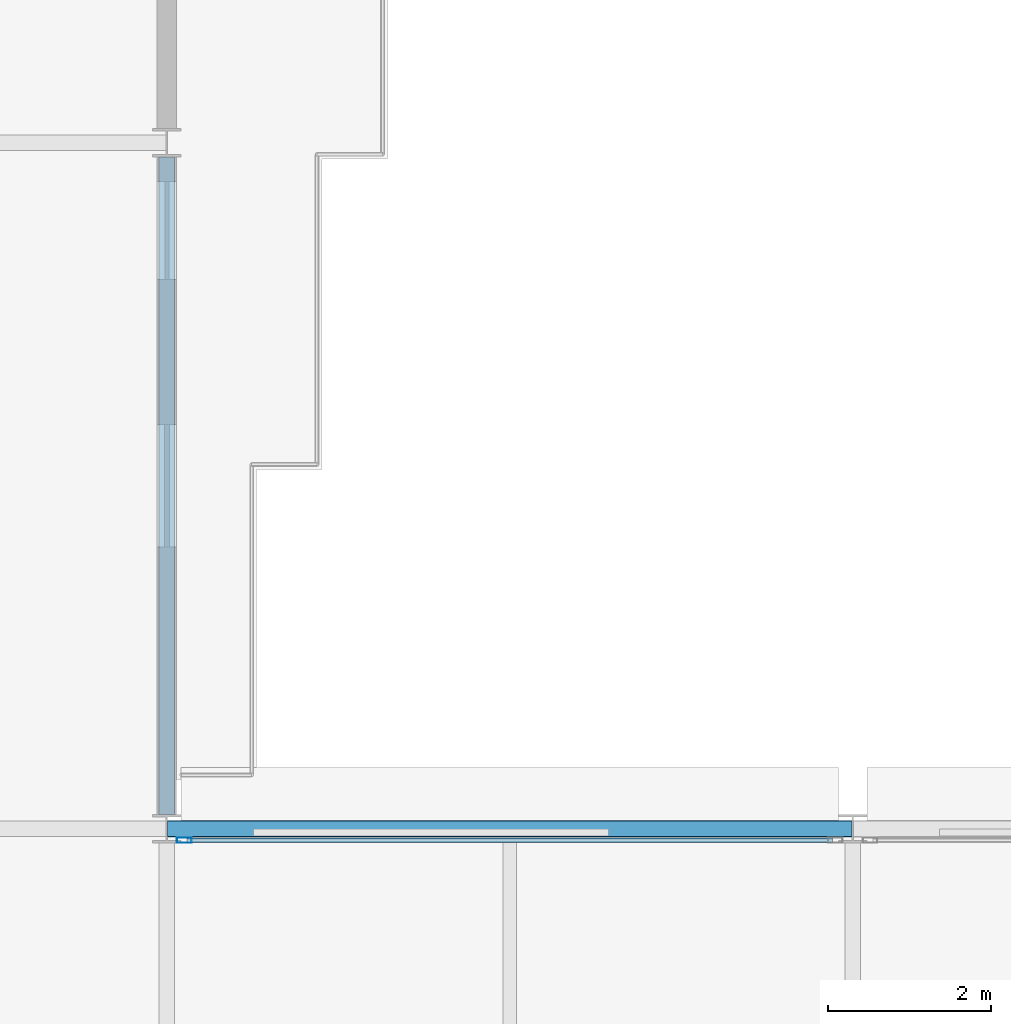
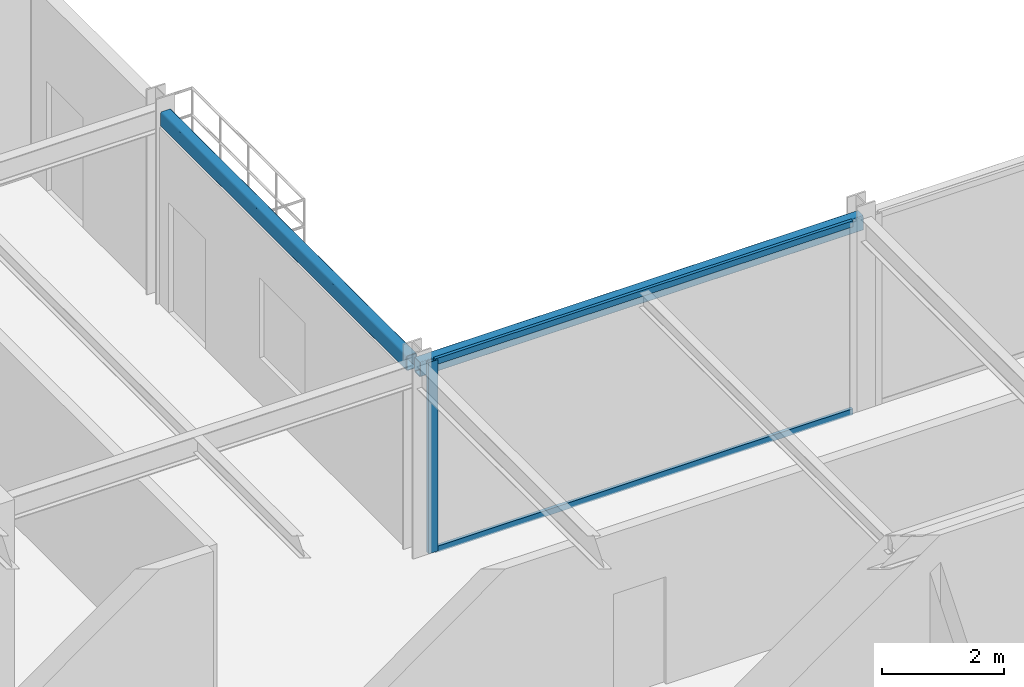
# One storey, part 12 of 26: 3 members, 2 beams, 1 element without a shape of its own.
"""IFC4 building model written with IfcOpenShell, lengths in metres."""

from ifc_helpers import new_model, si_unit, direction, frame, origin, origin_2d, place, context, subcontext, project, spatial, hollow_rectangle, extrude, material, layer, layer_set, material_profile, profile_set, type_object, element, aggregate, save


model = new_model("IFC4")

# Units and contexts
model_context = context("Model", 3, precision=1e-05, world=origin(), true_north=direction((0.0, 1.0)))
body_context = subcontext(model_context, "Body", "Model", "MODEL_VIEW")
ifc_project = project(units=[si_unit("LENGTHUNIT", "METRE"), si_unit("AREAUNIT", "SQUARE_METRE"), si_unit("VOLUMEUNIT", "CUBIC_METRE"), si_unit("PLANEANGLEUNIT", "RADIAN"), si_unit("MASSUNIT", "GRAM", prefix="KILO")], contexts=[model_context])

# Site, building, storey
site_placement = place(None, origin())
site = spatial("IfcSite", under=ifc_project, at=site_placement, CompositionType="ELEMENT")
building_placement = place(site_placement, origin())
building = spatial("IfcBuilding", under=site, at=building_placement, Name="Nerrivon Quay Data Exchange", CompositionType="ELEMENT")
storey_placement = place(building_placement, frame((0.0, 0.0, 228.800048828125)))
storey = spatial("IfcBuildingStorey", under=building, at=storey_placement, Name="L54", CompositionType="ELEMENT", Elevation=228.800048828125)

# Beams
ifc_material_1 = material(Name="Steel Grade C350L0 (350 MPa)", Category="steel")
ifc_material_profile_1 = material_profile(ifc_material_1, hollow_rectangle(XDim=0.199951171875, YDim=0.300048828125, WallThickness=0.012451171875, InnerFilletRadius=0.018798828125, OuterFilletRadius=0.03125, at=origin_2d()), Name="300x200x12.5RHS")
ifc_profile_set_1 = profile_set([ifc_material_profile_1], Name="Steel Grade C350L0 (350 MPa)")
beam_type = type_object("IfcBeamType", Name="BM-SP3-300x200RHS", PredefinedType="SPANDREL", material=ifc_profile_set_1)
beam_1_placement = place(storey_placement, frame((25.2099609375, 25.199951171875, 3.675048828125), z_axis=(1.0, 0.0, 0.0), x_axis=(0.0, 1.0, 0.0)))
element("IfcBeam", 1, at=beam_1_placement, inside=storey, type_object=beam_type, Name="L54 EW Girder Y=25.2 (25.2..33.6)", PredefinedType="SPANDREL", context=body_context, shape_type="SweptSolid", body=[
    extrude(hollow_rectangle(XDim=0.199951171875, YDim=0.300048828125, WallThickness=0.012451171875, InnerFilletRadius=0.018798828125, OuterFilletRadius=0.03125, at=origin_2d()), origin(), (0.0, 0.0, 1.0), 8.380126953125),
])
beam_2_placement = place(storey_placement, frame((25.199951171875, 25.375, 3.675048828125), z_axis=(0.0, 1.0, 0.0), x_axis=(-1.0, 0.0, 0.0)))
element("IfcBeam", 2, at=beam_2_placement, inside=storey, type_object=beam_type, Name="L54 NS Girder X=25.2 (25.2..33.6)", PredefinedType="SPANDREL", context=body_context, shape_type="SweptSolid", body=[
    extrude(hollow_rectangle(XDim=0.199951171875, YDim=0.300048828125, WallThickness=0.012451171875, InnerFilletRadius=0.018798828125, OuterFilletRadius=0.03125, at=origin_2d()), origin(), (0.0, 0.0, 1.0), 8.050048828125),
])

# Curtain wall, members
ifc_material_2 = material(Name="Anodised aluminium 6063-T6", Category="aluminium")
ifc_layer = layer(ifc_material_2, 0.195068359375)
ifc_layer_set = layer_set([ifc_layer], Name="Anodised aluminium 6063-T6")
curtain_wall_type = type_object("IfcCurtainWallType", Name="CW-SYS-06", PredefinedType="NOTDEFINED", material=ifc_layer_set)
curtain_wall_placement = place(storey_placement, origin())
curtain_wall = element("IfcCurtainWall", 3, at=curtain_wall_placement, inside=storey, type_object=curtain_wall_type, Name="L54 Unitised Curtain Wall 24", PredefinedType="NOTDEFINED")
ifc_material_profile_2 = material_profile(ifc_material_2, hollow_rectangle(XDim=0.06494140625, YDim=0.179931640625, WallThickness=0.00341796875, at=origin_2d()), Name="ALU-MULL-180x65")
ifc_profile_set_2 = profile_set([ifc_material_profile_2], Name="Anodised aluminium 6063-T6")
member_type_1 = type_object("IfcMemberType", Name="CWM-180x65", PredefinedType="MULLION", material=ifc_profile_set_2)
member_1_placement = place(storey_placement, frame((25.41259765625, 25.06005859375, 0.0), z_axis=(0.0, 0.0, 1.0), x_axis=(0.0, 1.0, 0.0)))
member_1 = element("IfcMember", 4, at=member_1_placement, type_object=member_type_1, Name="CW06 mullion 1", PredefinedType="MULLION", context=body_context, shape_type="SweptSolid", body=[
    extrude(hollow_rectangle(XDim=0.06494140625, YDim=0.179931640625, WallThickness=0.00341796875, at=origin_2d()), origin(), (0.0, 0.0, 1.0), 3.824951171875),
])
ifc_material_profile_3 = material_profile(ifc_material_2, hollow_rectangle(XDim=0.06005859375, YDim=0.1201171875, WallThickness=0.003173828125, at=origin_2d()), Name="ALU-TRAN-120x60")
ifc_profile_set_3 = profile_set([ifc_material_profile_3], Name="Anodised aluminium 6063-T6")
member_type_2 = type_object("IfcMemberType", Name="CWT-120x60", PredefinedType="USERDEFINED", material=ifc_profile_set_3)
member_2_placement = place(storey_placement, frame((25.449951171875, 25.06005859375, 0.032470703125), z_axis=(1.0, 0.0, 0.0), x_axis=(0.0, 1.0, 0.0)))
member_2 = element("IfcMember", 5, at=member_2_placement, type_object=member_type_2, Name="CW06 transom 1.1", ObjectType="TRANSOM", PredefinedType="USERDEFINED", context=body_context, shape_type="SweptSolid", body=[
    extrude(hollow_rectangle(XDim=0.06005859375, YDim=0.1201171875, WallThickness=0.003173828125, at=origin_2d()), origin(), (0.0, 0.0, 1.0), 7.900146484375),
])
member_3_placement = place(storey_placement, frame((25.449951171875, 25.06005859375, 3.79248046875), z_axis=(1.0, 0.0, 0.0), x_axis=(0.0, 1.0, 0.0)))
member_3 = element("IfcMember", 6, at=member_3_placement, type_object=member_type_2, Name="CW06 transom 1.2", ObjectType="TRANSOM", PredefinedType="USERDEFINED", context=body_context, shape_type="SweptSolid", body=[
    extrude(hollow_rectangle(XDim=0.06005859375, YDim=0.1201171875, WallThickness=0.003173828125, at=origin_2d()), origin(), (0.0, 0.0, 1.0), 7.900146484375),
])
aggregate(curtain_wall, [member_1, member_2, member_3])

save(model, "model.ifc")
